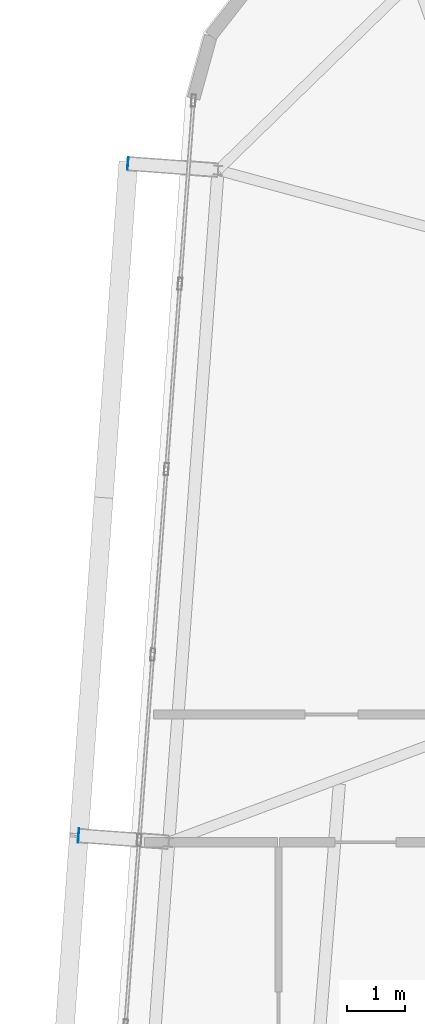
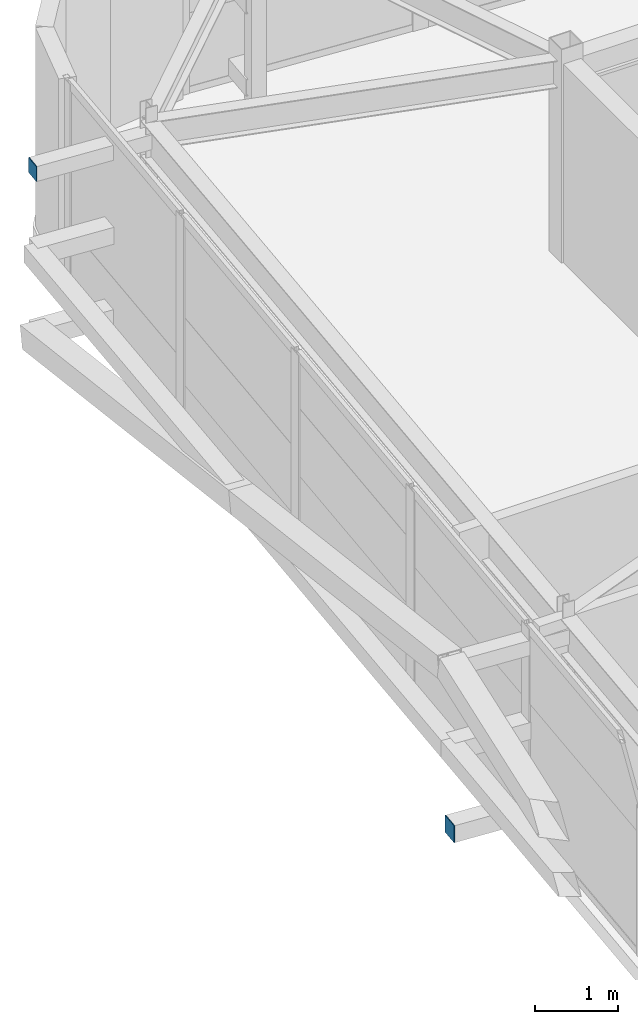
# One storey, part 33 of 42: 2 plates.
"""IFC4 building model written with IfcOpenShell, lengths in metres."""

import ifcopenshell
import ifcopenshell.guid

model = None  # the IFC model being written
_history = None  # IfcOwnerHistory: only IFC2X3 demands one
_inside = {}  # id of a spatial element -> (the spatial element, [elements in it])
_under = {}  # id of a project, library or spatial element -> (it, [spatial elements below it])
_declared = {}  # id of a project -> (the project, [libraries it declares])
_typed = {}  # id of a type object -> (the type object, [elements of that type])
_made_of = {}  # id of a material, layer set ... -> (it, [elements and type objects made of it])


def new_model(schema):
    """Start an empty IFC model of exactly this schema.

    Asked for "IFC4X3", IfcOpenShell would pick the latest addendum, in which some entities
    have other attributes; the version numbers below select the first issue.
    IFC2X3 requires an IfcOwnerHistory on every rooted entity: one is made here for all.
    """
    global model, _history
    if schema == "IFC4X3":
        model = ifcopenshell.file(schema_version=(4, 3, 0, 0))
    else:
        model = ifcopenshell.file(schema=schema)
    _inside.clear()
    _under.clear()
    _declared.clear()
    _typed.clear()
    _made_of.clear()
    _history = None
    if model.schema == "IFC2X3":
        org = make("IfcOrganization", Name="unknown")
        user = make(
            "IfcPersonAndOrganization",
            ThePerson=make("IfcPerson", FamilyName="unknown"),
            TheOrganization=org,
        )
        app = make(
            "IfcApplication",
            ApplicationDeveloper=org,
            Version="unknown",
            ApplicationFullName="unknown",
            ApplicationIdentifier="unknown",
        )
        _history = make(
            "IfcOwnerHistory",
            OwningUser=user,
            OwningApplication=app,
            ChangeAction="ADDED",
            CreationDate=0,
        )
    return model


def make(cls, **values):
    """One entity of the class cls with the attributes given. An attribute that is None is left unset."""
    return model.create_entity(
        cls, **{name: value for name, value in values.items() if value is not None}
    )


def rooted(cls, **values):
    """An entity with a GlobalId (a new one), such as an element, a storey or a relation."""
    return make(cls, GlobalId=ifcopenshell.guid.new(), OwnerHistory=_history, **values)


def si_unit(unit_type, name, prefix=None):
    """IfcSIUnit, for example si_unit("LENGTHUNIT", "METRE", prefix="MILLI")."""
    return make("IfcSIUnit", UnitType=unit_type, Prefix=prefix, Name=name)


def assignment(units):
    """IfcUnitAssignment: the units of a project."""
    return None if units is None else make("IfcUnitAssignment", Units=units)


def point(xyz):
    """IfcCartesianPoint."""
    return None if xyz is None else make("IfcCartesianPoint", Coordinates=xyz)


def direction(xyz):
    """IfcDirection."""
    return None if xyz is None else make("IfcDirection", DirectionRatios=xyz)


def frame(location, z_axis=None, x_axis=None):
    """IfcAxis2Placement3D, a coordinate frame: its origin and axes. An axis left out is left unset."""
    return make(
        "IfcAxis2Placement3D",
        Location=point(location),
        Axis=direction(z_axis),
        RefDirection=direction(x_axis),
    )


def frame_2d(location, x_axis=None):
    """IfcAxis2Placement2D, a coordinate frame in the plane: its origin and x axis."""
    return make(
        "IfcAxis2Placement2D", Location=point(location), RefDirection=direction(x_axis)
    )


def origin():
    """The frame at (0, 0, 0) with its axes left unset."""
    return frame((0.0, 0.0, 0.0))


def origin_2d():
    """The frame at (0, 0) in the plane with its x axis left unset."""
    return frame_2d((0.0, 0.0))


def place(relative_to, where):
    """IfcLocalPlacement: puts the frame where relative to a parent placement (None: the world)."""
    return make(
        "IfcLocalPlacement", PlacementRelTo=relative_to, RelativePlacement=where
    )


def context(
    kind, dimensions, precision=None, world=None, true_north=None, identifier=None
):
    """IfcGeometricRepresentationContext, for example the 3D "Model" context."""
    return make(
        "IfcGeometricRepresentationContext",
        ContextIdentifier=identifier,
        ContextType=kind,
        CoordinateSpaceDimension=dimensions,
        Precision=precision,
        WorldCoordinateSystem=world,
        TrueNorth=true_north,
    )


def subcontext(parent, identifier, kind, view, scale=None):
    """IfcGeometricRepresentationSubContext, for example "Body" below "Model"."""
    return make(
        "IfcGeometricRepresentationSubContext",
        ContextIdentifier=identifier,
        ContextType=kind,
        ParentContext=parent,
        TargetScale=scale,
        TargetView=view,
    )


def project(units=None, contexts=None):
    """IfcProject with its units and contexts."""
    return rooted(
        "IfcProject",
        Name="project",
        RepresentationContexts=contexts,
        UnitsInContext=assignment(units),
    )


def spatial(cls, under=None, at=None, **own):
    """A site, building, storey or space (cls), placed at a placement, below another one or the project."""
    s = rooted(cls, ObjectPlacement=at, **own)
    if under is not None:
        _under.setdefault(under.id(), (under, []))[1].append(s)
    return s


def profile(cls, at=None, kind="AREA", **sizes):
    """A parametric profile (cls). Its sizes go by their IFC names, for example OverallWidth=200.0."""
    return make(cls, ProfileType=kind, Position=at, **sizes)


def rectangle(**sizes):
    """IfcRectangleProfileDef."""
    return profile("IfcRectangleProfileDef", **sizes)


def extrude(swept, where, along, depth):
    """IfcExtrudedAreaSolid: the profile swept, set in the frame where, extruded along a direction by depth."""
    return make(
        "IfcExtrudedAreaSolid",
        SweptArea=swept,
        Position=where,
        ExtrudedDirection=direction(along),
        Depth=depth,
    )


def shape(context_of_items, identifier, shape_type, items):
    """IfcShapeRepresentation: the items that make up one representation, for example the "Body"."""
    return make(
        "IfcShapeRepresentation",
        ContextOfItems=context_of_items,
        RepresentationIdentifier=identifier,
        RepresentationType=shape_type,
        Items=items,
    )


def source(mapping_origin, context_of_items, identifier, shape_type, items):
    """IfcRepresentationMap: a shape defined once, which mapped items show again and again."""
    return make(
        "IfcRepresentationMap",
        MappingOrigin=mapping_origin,
        MappedRepresentation=shape(context_of_items, identifier, shape_type, items),
    )


def transform(
    local_origin,
    x_axis=None,
    y_axis=None,
    z_axis=None,
    scale=None,
    scale2=None,
    scale3=None,
    uniform=True,
):
    """IfcCartesianTransformationOperator3D, or its non-uniform kind. x_axis, y_axis, z_axis: its Axis1, 2, 3."""
    if uniform:
        return make(
            "IfcCartesianTransformationOperator3D",
            Axis1=direction(x_axis),
            Axis2=direction(y_axis),
            LocalOrigin=point(local_origin),
            Scale=scale,
            Axis3=direction(z_axis),
        )
    return make(
        "IfcCartesianTransformationOperator3DnonUniform",
        Axis1=direction(x_axis),
        Axis2=direction(y_axis),
        LocalOrigin=point(local_origin),
        Scale=scale,
        Axis3=direction(z_axis),
        Scale2=scale2,
        Scale3=scale3,
    )


def mapped(mapping_source, mapping_target):
    """IfcMappedItem: shows the shape of a source again, moved by a transform."""
    return make(
        "IfcMappedItem", MappingSource=mapping_source, MappingTarget=mapping_target
    )


def material(Name=None, Category=None):
    """IfcMaterial."""
    return make("IfcMaterial", Name=Name, Category=Category)


def layer(
    of_material, thickness, ventilated=None, Name=None, Category=None, Priority=None
):
    """IfcMaterialLayer: one layer of a wall or slab, of a material (None: an air gap)."""
    return make(
        "IfcMaterialLayer",
        Material=of_material,
        LayerThickness=thickness,
        IsVentilated=ventilated,
        Name=Name,
        Category=Category,
        Priority=Priority,
    )


def layer_set(layers, Name=None):
    """IfcMaterialLayerSet."""
    return make("IfcMaterialLayerSet", MaterialLayers=layers, LayerSetName=Name)


def made_of(thing, what):
    """Note that an element or type object is made of a material, layer set ...; save() writes the relation."""
    if what is not None:
        _made_of.setdefault(what.id(), (what, []))[1].append(thing)
    return thing


def type_object(cls, material=None, **own):
    """A type object (cls), such as IfcWallType, which elements share."""
    return made_of(rooted(cls, **own), material)


def element(
    cls,
    number,
    at=None,
    inside=None,
    cuts=None,
    type_object=None,
    material=None,
    context=None,
    identifier="Body",
    shape_type=None,
    held_by="IfcProductDefinitionShape",
    body=None,
    shapes=None,
    **own,
):
    """One element of the class cls, such as IfcWall. Its Tag is "e" and its number.

    at: its placement. inside: the storey or other place that contains it. cuts: it is an
    opening in that element (IfcRelVoidsElement). A single representation is given by context,
    identifier, shape_type and body (its items); several are given by shapes. held_by: the class
    of the entity that holds the representations. save() writes the other relations.
    """
    e = rooted(cls, Tag="e%d" % number, ObjectPlacement=at, **own)
    if body is not None:
        shapes = [shape(context, identifier, shape_type, body)]
    if shapes is not None:
        e.Representation = make(held_by, Representations=shapes)
    if inside is not None:
        _inside.setdefault(inside.id(), (inside, []))[1].append(e)
    if cuts is not None:
        rooted(
            "IfcRelVoidsElement", RelatingBuildingElement=cuts, RelatedOpeningElement=e
        )
    if type_object is not None:
        _typed.setdefault(type_object.id(), (type_object, []))[1].append(e)
    return made_of(e, material)


def aggregate(whole, parts):
    """IfcRelAggregates: a whole, such as a stair, and the parts it consists of."""
    return rooted("IfcRelAggregates", RelatingObject=whole, RelatedObjects=parts)


def save(model, path):
    """Write the relations noted so far, then the file.

    IfcRelAggregates (storeys below a building ...), IfcRelContainedInSpatialStructure (elements
    in a storey), IfcRelDefinesByType, IfcRelAssociatesMaterial and IfcRelDeclares: one each for
    every whole, place, type object, material and project.
    """
    for whole, parts in _under.values():
        aggregate(whole, parts)
    for where, things in _inside.values():
        rooted(
            "IfcRelContainedInSpatialStructure",
            RelatedElements=things,
            RelatingStructure=where,
        )
    for kind, things in _typed.values():
        rooted("IfcRelDefinesByType", RelatedObjects=things, RelatingType=kind)
    for what, things in _made_of.values():
        rooted("IfcRelAssociatesMaterial", RelatedObjects=things, RelatingMaterial=what)
    for by, libraries in _declared.values():
        rooted("IfcRelDeclares", RelatingContext=by, RelatedDefinitions=libraries)
    model.write(path)


model = new_model("IFC4")

# Units and contexts
model_context = context("Model", 3, precision=1e-05, world=origin(), true_north=direction((0.0, 1.0)))
body_context = subcontext(model_context, "Body", "Model", "MODEL_VIEW")
ifc_project = project(units=[si_unit("LENGTHUNIT", "METRE"), si_unit("AREAUNIT", "SQUARE_METRE"), si_unit("VOLUMEUNIT", "CUBIC_METRE"), si_unit("PLANEANGLEUNIT", "RADIAN"), si_unit("MASSUNIT", "GRAM", prefix="KILO")], contexts=[model_context])

# Site, building, storey
site_placement = place(None, origin())
site = spatial("IfcSite", under=ifc_project, at=site_placement, CompositionType="ELEMENT")
building_placement = place(site_placement, origin())
building = spatial("IfcBuilding", under=site, at=building_placement, Name="Taldren Reach Tower", CompositionType="ELEMENT")
storey_placement = place(building_placement, frame((0.0, 0.0, 224.0)))
storey = spatial("IfcBuildingStorey", under=building, at=storey_placement, Name="L68", CompositionType="ELEMENT", Elevation=224.0)

# Plates
ifc_material_1 = material(Name="Steel Gr 350 (C350L0)", Category="steel")
ifc_layer_1 = layer(ifc_material_1, 0.011962890625)
ifc_layer_set_1 = layer_set([ifc_layer_1], Name="Steel Gr 350 (C350L0)")
plate_type_1 = type_object("IfcPlateType", Name="PL-CAP-250", PredefinedType="SHEET", material=ifc_layer_set_1)
shared_shape_1 = source(origin(), body_context, "Body", "SweptSolid", [
    extrude(rectangle(XDim=0.011962890625, YDim=0.25, at=origin_2d()), origin(), (0.0, 0.0, 1.0), 0.25),
])
plate_1_placement = place(storey_placement, frame((11.556884765625, 21.914306640625, 0.094970703125), z_axis=(0.0, 0.0, 1.0), x_axis=(0.997314477224, -0.073238197128, 0.0)))
element("IfcPlate", 1, at=plate_1_placement, inside=storey, type_object=plate_type_1, Name="Tie strut end cap plate B5-W2 L68", PredefinedType="SHEET", context=body_context, shape_type="MappedRepresentation", body=[
    mapped(shared_shape_1, transform((0.0, 0.0, 0.0), scale=1.0)),
])
ifc_material_2 = material(Name="Steel Gr 450 (C450L0)", Category="steel")
ifc_layer_2 = layer(ifc_material_2, 0.011962890625)
ifc_layer_set_2 = layer_set([ifc_layer_2], Name="Steel Gr 450 (C450L0)")
plate_type_2 = type_object("IfcPlateType", Name="PL-CAP-220", PredefinedType="SHEET", material=ifc_layer_set_2)
shared_shape_2 = source(origin(), body_context, "Body", "SweptSolid", [
    extrude(rectangle(XDim=0.011962890625, YDim=0.219970703125, at=origin_2d()), origin(), (0.0, 0.0, 1.0), 0.219970703125),
])
plate_2_placement = place(storey_placement, frame((12.406494140625, 33.483154296875, 2.5400390625), z_axis=(0.0, 0.0, 1.0), x_axis=(0.997314477224, -0.073238197128, 0.0)))
element("IfcPlate", 2, at=plate_2_placement, inside=storey, type_object=plate_type_2, Name="Tie strut end cap plate B5-W3 L68", PredefinedType="SHEET", context=body_context, shape_type="MappedRepresentation", body=[
    mapped(shared_shape_2, transform((0.0, 0.0, 0.0), scale=1.0)),
])

save(model, "model.ifc")
